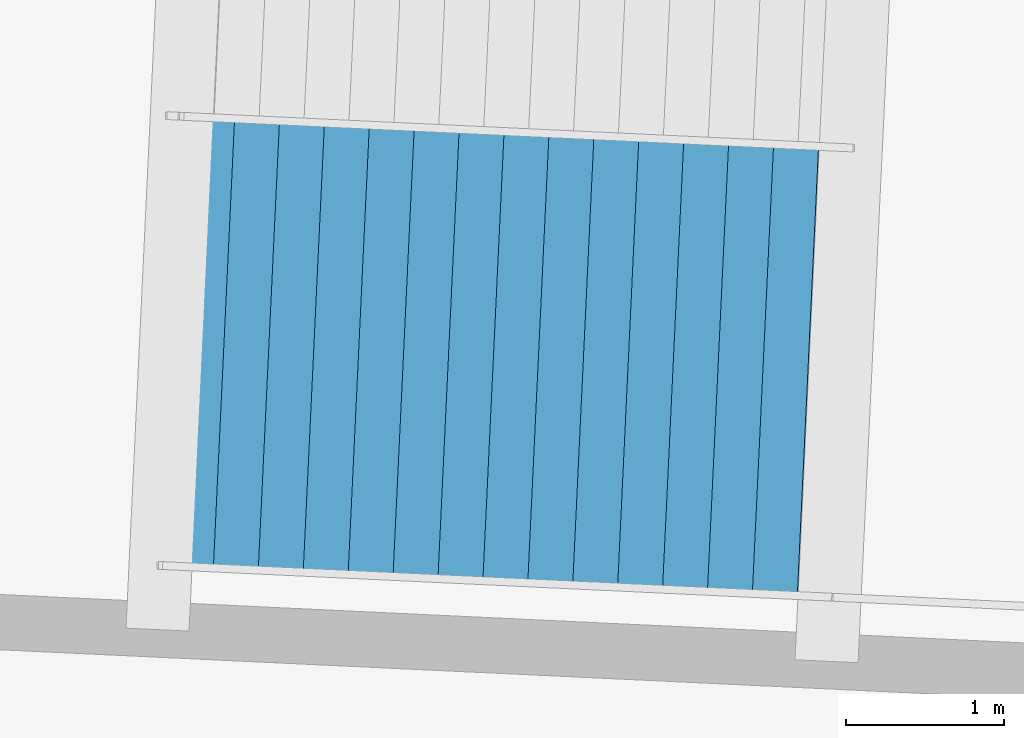
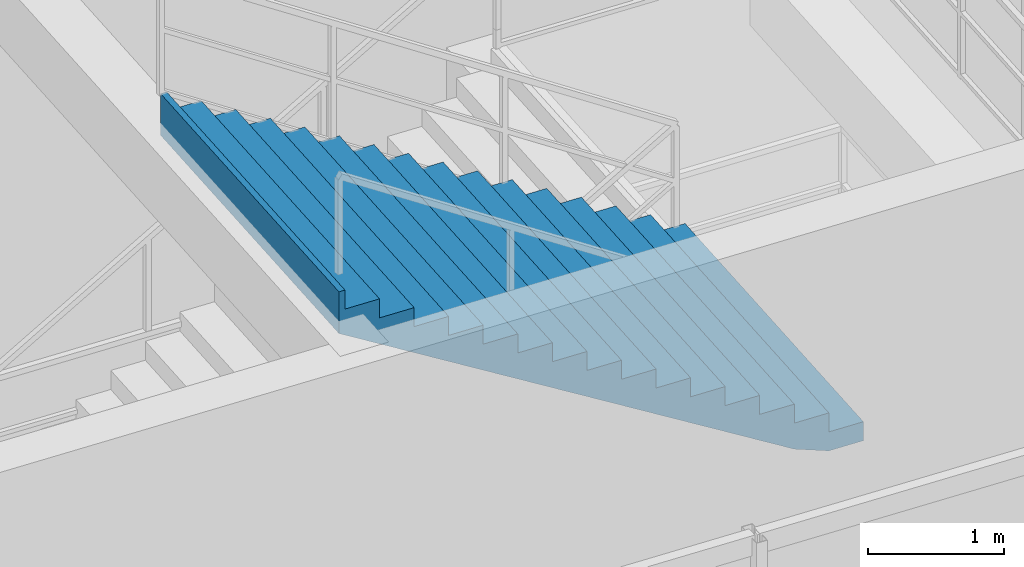
# One storey, part 83 of 103: 1 stair flight, 1 element without a shape of its own.
"""IFC4 building model written with IfcOpenShell, lengths in metres."""

from ifc_helpers import new_model, si_unit, direction, frame, origin, place, context, subcontext, project, spatial, polygons, material, type_object, element, aggregate, save


model = new_model("IFC4")

# Units and contexts
model_context = context("Model", 3, precision=1e-05, world=origin(), true_north=direction((0.0, 1.0)))
body_context = subcontext(model_context, "Body", "Model", "MODEL_VIEW")
ifc_project = project(units=[si_unit("LENGTHUNIT", "METRE"), si_unit("AREAUNIT", "SQUARE_METRE"), si_unit("VOLUMEUNIT", "CUBIC_METRE"), si_unit("PLANEANGLEUNIT", "RADIAN"), si_unit("MASSUNIT", "GRAM", prefix="KILO")], contexts=[model_context])

# Site, building, storey
site_placement = place(None, origin())
site = spatial("IfcSite", under=ifc_project, at=site_placement, CompositionType="ELEMENT")
building_placement = place(site_placement, origin())
building = spatial("IfcBuilding", under=site, at=building_placement, Name="Kazemori Nagisa Stadium", CompositionType="ELEMENT")
storey_placement = place(building_placement, frame((0.0, 0.0, 25.840087890625)))
storey = spatial("IfcBuildingStorey", under=building, at=storey_placement, Name="L05", CompositionType="ELEMENT", Elevation=25.840087890625)

# Stair, stair flight
ifc_material = material(Name="Concrete C36/45 (Fc36)", Category="concrete")
stair_type = type_object("IfcStairType", Name="Stair_CORE_32", PredefinedType="TWO_STRAIGHT_RUN_STAIR", material=ifc_material)
stair_placement = place(storey_placement, origin())
stair = element("IfcStair", 1, at=stair_placement, inside=storey, type_object=stair_type, Name="Exit stair ST12 L05", PredefinedType="TWO_STRAIGHT_RUN_STAIR")
stair_flight_type = type_object("IfcStairFlightType", Name="Flight_CORE_16", PredefinedType="STRAIGHT", material=ifc_material)
stair_flight_placement = place(storey_placement, frame((111.443115234375, 20.96044921875, 2.719970703125), z_axis=(0.0, 0.0, 1.0), x_axis=(-0.99888410244, 0.047228697771, 0.0)))
stair_flight = element("IfcStairFlight", 2, at=stair_flight_placement, type_object=stair_flight_type, Name="Exit stair ST12 L05 flight 2", NumberOfRisers=16, NumberOfTreads=15, PredefinedType="STRAIGHT", RiserHeight=0.17, TreadLength=0.285, context=body_context, shape_type="Tessellation", body=[
    polygons([(0.0, -1.425048828125, 0.0), (0.0, -1.425048828125, 0.169921875), (0.284912109375, -1.425048828125, 0.169921875), (0.284912109375, -1.425048828125, 0.340087890625), (0.570068359375, -1.425048828125, 0.340087890625), (0.570068359375, -1.425048828125, 0.510009765625), (0.85498046875, -1.425048828125, 0.510009765625), (0.85498046875, -1.425048828125, 0.679931640625), (1.139892578125, -1.425048828125, 0.679931640625), (1.139892578125, -1.425048828125, 0.85009765625), (1.425048828125, -1.425048828125, 0.85009765625), (1.425048828125, -1.425048828125, 1.02001953125), (1.7099609375, -1.425048828125, 1.02001953125), (1.7099609375, -1.425048828125, 1.18994140625), (1.9951171875, -1.425048828125, 1.18994140625), (1.9951171875, -1.425048828125, 1.360107421875), (2.280029296875, -1.425048828125, 1.360107421875), (2.280029296875, -1.425048828125, 1.530029296875), (2.56494140625, -1.425048828125, 1.530029296875), (2.56494140625, -1.425048828125, 1.699951171875), (2.85009765625, -1.425048828125, 1.699951171875), (2.85009765625, -1.425048828125, 1.8701171875), (3.135009765625, -1.425048828125, 1.8701171875), (3.135009765625, -1.425048828125, 2.0400390625), (3.419921875, -1.425048828125, 2.0400390625), (3.419921875, -1.425048828125, 2.2099609375), (3.705078125, -1.425048828125, 2.2099609375), (3.705078125, -1.425048828125, 2.3798828125), (3.989990234375, -1.425048828125, 2.3798828125), (3.989990234375, -1.425048828125, 2.550048828125), (4.27490234375, -1.425048828125, 2.550048828125), (4.27490234375, -1.425048828125, 2.719970703125), (4.324951171875, -1.425048828125, 2.719970703125), (4.324951171875, -1.425048828125, 2.346923828125), (4.27490234375, -1.425048828125, 2.317138671875), (3.989990234375, -1.425048828125, 2.147216796875), (3.705078125, -1.425048828125, 1.977294921875), (3.419921875, -1.425048828125, 1.80712890625), (3.135009765625, -1.425048828125, 1.63720703125), (2.85009765625, -1.425048828125, 1.46728515625), (2.56494140625, -1.425048828125, 1.297119140625), (2.280029296875, -1.425048828125, 1.127197265625), (1.9951171875, -1.425048828125, 0.957275390625), (1.7099609375, -1.425048828125, 0.787109375), (1.425048828125, -1.425048828125, 0.6171875), (1.139892578125, -1.425048828125, 0.447265625), (0.85498046875, -1.425048828125, 0.277099609375), (0.570068359375, -1.425048828125, 0.107177734375), (0.284912109375, -1.425048828125, 0.0), (0.0, -0.08544921875, 0.0), (0.0, -0.08544921875, 0.169921875), (0.284912109375, -0.08544921875, 0.169921875), (0.284912109375, -0.08544921875, 0.340087890625), (0.570068359375, -0.08544921875, 0.340087890625), (0.570068359375, -0.08544921875, 0.510009765625), (0.85498046875, -0.08544921875, 0.510009765625), (0.85498046875, -0.08544921875, 0.679931640625), (1.139892578125, -0.08544921875, 0.679931640625), (1.139892578125, -0.08544921875, 0.85009765625), (1.425048828125, -0.08544921875, 0.85009765625), (1.425048828125, -0.08544921875, 1.02001953125), (1.7099609375, -0.08544921875, 1.02001953125), (1.7099609375, -0.08544921875, 1.18994140625), (1.9951171875, -0.08544921875, 1.18994140625), (1.9951171875, -0.08544921875, 1.360107421875), (2.280029296875, -0.08544921875, 1.360107421875), (2.280029296875, -0.08544921875, 1.530029296875), (2.56494140625, -0.08544921875, 1.530029296875), (2.56494140625, -0.08544921875, 1.699951171875), (2.85009765625, -0.08544921875, 1.699951171875), (2.85009765625, -0.08544921875, 1.8701171875), (3.135009765625, -0.08544921875, 1.8701171875), (3.135009765625, -0.08544921875, 2.0400390625), (3.419921875, -0.08544921875, 2.0400390625), (3.419921875, -0.08544921875, 2.2099609375), (3.705078125, -0.08544921875, 2.2099609375), (3.705078125, -0.08544921875, 2.3798828125), (3.989990234375, -0.08544921875, 2.3798828125), (3.989990234375, -0.08544921875, 2.550048828125), (4.27490234375, -0.08544921875, 2.550048828125), (4.27490234375, -0.08544921875, 2.719970703125), (4.324951171875, -0.08544921875, 2.719970703125), (4.324951171875, -0.08544921875, 2.346923828125), (4.27490234375, -0.08544921875, 2.317138671875), (3.989990234375, -0.08544921875, 2.147216796875), (3.705078125, -0.08544921875, 1.977294921875), (3.419921875, -0.08544921875, 1.80712890625), (3.135009765625, -0.08544921875, 1.63720703125), (2.85009765625, -0.08544921875, 1.46728515625), (2.56494140625, -0.08544921875, 1.297119140625), (2.280029296875, -0.08544921875, 1.127197265625), (1.9951171875, -0.08544921875, 0.957275390625), (1.7099609375, -0.08544921875, 0.787109375), (1.425048828125, -0.08544921875, 0.6171875), (1.139892578125, -0.08544921875, 0.447265625), (0.85498046875, -0.08544921875, 0.277099609375), (0.570068359375, -0.08544921875, 0.107177734375), (0.284912109375, -0.08544921875, 0.0), (0.0, 0.0, 0.0), (0.0, 0.0, 0.169921875), (0.284912109375, 0.0, 0.169921875), (0.284912109375, 0.0, 0.340087890625), (0.570068359375, 0.0, 0.340087890625), (0.570068359375, 0.0, 0.510009765625), (0.85498046875, 0.0, 0.510009765625), (0.85498046875, 0.0, 0.679931640625), (1.139892578125, 0.0, 0.679931640625), (1.139892578125, 0.0, 0.85009765625), (1.425048828125, 0.0, 0.85009765625), (1.425048828125, 0.0, 1.02001953125), (1.7099609375, 0.0, 1.02001953125), (1.7099609375, 0.0, 1.18994140625), (1.9951171875, 0.0, 1.18994140625), (1.9951171875, 0.0, 1.360107421875), (2.280029296875, 0.0, 1.360107421875), (2.280029296875, 0.0, 1.530029296875), (2.56494140625, 0.0, 1.530029296875), (2.56494140625, 0.0, 1.699951171875), (2.85009765625, 0.0, 1.699951171875), (2.85009765625, 0.0, 1.8701171875), (3.135009765625, 0.0, 1.8701171875), (3.135009765625, 0.0, 2.0400390625), (3.419921875, 0.0, 2.0400390625), (3.419921875, 0.0, 2.2099609375), (3.705078125, 0.0, 2.2099609375), (3.705078125, 0.0, 2.3798828125), (3.989990234375, 0.0, 2.3798828125), (3.989990234375, 0.0, 2.550048828125), (4.27490234375, 0.0, 2.550048828125), (4.27490234375, 0.0, 2.719970703125), (4.324951171875, 0.0, 2.719970703125), (4.324951171875, 0.0, 2.346923828125), (4.27490234375, 0.0, 2.317138671875), (3.989990234375, 0.0, 2.147216796875), (3.705078125, 0.0, 1.977294921875), (3.419921875, 0.0, 1.80712890625), (3.135009765625, 0.0, 1.63720703125), (2.85009765625, 0.0, 1.46728515625), (2.56494140625, 0.0, 1.297119140625), (2.280029296875, 0.0, 1.127197265625), (1.9951171875, 0.0, 0.957275390625), (1.7099609375, 0.0, 0.787109375), (1.425048828125, 0.0, 0.6171875), (1.139892578125, 0.0, 0.447265625), (0.85498046875, 0.0, 0.277099609375), (0.570068359375, 0.0, 0.107177734375), (0.284912109375, 0.0, 0.0), (0.0, 0.08544921875, 0.0), (0.0, 0.08544921875, 0.169921875), (0.284912109375, 0.08544921875, 0.169921875), (0.284912109375, 0.08544921875, 0.340087890625), (0.570068359375, 0.08544921875, 0.340087890625), (0.570068359375, 0.08544921875, 0.510009765625), (0.85498046875, 0.08544921875, 0.510009765625), (0.85498046875, 0.08544921875, 0.679931640625), (1.139892578125, 0.08544921875, 0.679931640625), (1.139892578125, 0.08544921875, 0.85009765625), (1.425048828125, 0.08544921875, 0.85009765625), (1.425048828125, 0.08544921875, 1.02001953125), (1.7099609375, 0.08544921875, 1.02001953125), (1.7099609375, 0.08544921875, 1.18994140625), (1.9951171875, 0.08544921875, 1.18994140625), (1.9951171875, 0.08544921875, 1.360107421875), (2.280029296875, 0.08544921875, 1.360107421875), (2.280029296875, 0.08544921875, 1.530029296875), (2.56494140625, 0.08544921875, 1.530029296875), (2.56494140625, 0.08544921875, 1.699951171875), (2.85009765625, 0.08544921875, 1.699951171875), (2.85009765625, 0.08544921875, 1.8701171875), (3.135009765625, 0.08544921875, 1.8701171875), (3.135009765625, 0.08544921875, 2.0400390625), (3.419921875, 0.08544921875, 2.0400390625), (3.419921875, 0.08544921875, 2.2099609375), (3.705078125, 0.08544921875, 2.2099609375), (3.705078125, 0.08544921875, 2.3798828125), (3.989990234375, 0.08544921875, 2.3798828125), (3.989990234375, 0.08544921875, 2.550048828125), (4.27490234375, 0.08544921875, 2.550048828125), (4.27490234375, 0.08544921875, 2.719970703125), (4.324951171875, 0.08544921875, 2.719970703125), (4.324951171875, 0.08544921875, 2.346923828125), (4.27490234375, 0.08544921875, 2.317138671875), (3.989990234375, 0.08544921875, 2.147216796875), (3.705078125, 0.08544921875, 1.977294921875), (3.419921875, 0.08544921875, 1.80712890625), (3.135009765625, 0.08544921875, 1.63720703125), (2.85009765625, 0.08544921875, 1.46728515625), (2.56494140625, 0.08544921875, 1.297119140625), (2.280029296875, 0.08544921875, 1.127197265625), (1.9951171875, 0.08544921875, 0.957275390625), (1.7099609375, 0.08544921875, 0.787109375), (1.425048828125, 0.08544921875, 0.6171875), (1.139892578125, 0.08544921875, 0.447265625), (0.85498046875, 0.08544921875, 0.277099609375), (0.570068359375, 0.08544921875, 0.107177734375), (0.284912109375, 0.08544921875, 0.0), (0.0, 1.425048828125, 0.0), (0.0, 1.425048828125, 0.169921875), (0.284912109375, 1.425048828125, 0.169921875), (0.284912109375, 1.425048828125, 0.340087890625), (0.570068359375, 1.425048828125, 0.340087890625), (0.570068359375, 1.425048828125, 0.510009765625), (0.85498046875, 1.425048828125, 0.510009765625), (0.85498046875, 1.425048828125, 0.679931640625), (1.139892578125, 1.425048828125, 0.679931640625), (1.139892578125, 1.425048828125, 0.85009765625), (1.425048828125, 1.425048828125, 0.85009765625), (1.425048828125, 1.425048828125, 1.02001953125), (1.7099609375, 1.425048828125, 1.02001953125), (1.7099609375, 1.425048828125, 1.18994140625), (1.9951171875, 1.425048828125, 1.18994140625), (1.9951171875, 1.425048828125, 1.360107421875), (2.280029296875, 1.425048828125, 1.360107421875), (2.280029296875, 1.425048828125, 1.530029296875), (2.56494140625, 1.425048828125, 1.530029296875), (2.56494140625, 1.425048828125, 1.699951171875), (2.85009765625, 1.425048828125, 1.699951171875), (2.85009765625, 1.425048828125, 1.8701171875), (3.135009765625, 1.425048828125, 1.8701171875), (3.135009765625, 1.425048828125, 2.0400390625), (3.419921875, 1.425048828125, 2.0400390625), (3.419921875, 1.425048828125, 2.2099609375), (3.705078125, 1.425048828125, 2.2099609375), (3.705078125, 1.425048828125, 2.3798828125), (3.989990234375, 1.425048828125, 2.3798828125), (3.989990234375, 1.425048828125, 2.550048828125), (4.27490234375, 1.425048828125, 2.550048828125), (4.27490234375, 1.425048828125, 2.719970703125), (4.324951171875, 1.425048828125, 2.719970703125), (4.324951171875, 1.425048828125, 2.346923828125), (4.27490234375, 1.425048828125, 2.317138671875), (3.989990234375, 1.425048828125, 2.147216796875), (3.705078125, 1.425048828125, 1.977294921875), (3.419921875, 1.425048828125, 1.80712890625), (3.135009765625, 1.425048828125, 1.63720703125), (2.85009765625, 1.425048828125, 1.46728515625), (2.56494140625, 1.425048828125, 1.297119140625), (2.280029296875, 1.425048828125, 1.127197265625), (1.9951171875, 1.425048828125, 0.957275390625), (1.7099609375, 1.425048828125, 0.787109375), (1.425048828125, 1.425048828125, 0.6171875), (1.139892578125, 1.425048828125, 0.447265625), (0.85498046875, 1.425048828125, 0.277099609375), (0.570068359375, 1.425048828125, 0.107177734375), (0.284912109375, 1.425048828125, 0.0)], [[[1, 2, 51]], [[1, 51, 50]], [[2, 3, 52]], [[2, 52, 51]], [[3, 4, 53]], [[3, 53, 52]], [[4, 5, 54]], [[4, 54, 53]], [[5, 6, 55]], [[5, 55, 54]], [[6, 7, 56]], [[6, 56, 55]], [[7, 8, 57]], [[7, 57, 56]], [[8, 9, 58]], [[8, 58, 57]], [[9, 10, 59]], [[9, 59, 58]], [[10, 11, 60]], [[10, 60, 59]], [[11, 12, 61]], [[11, 61, 60]], [[12, 13, 62]], [[12, 62, 61]], [[13, 14, 63]], [[13, 63, 62]], [[14, 15, 64]], [[14, 64, 63]], [[15, 16, 65]], [[15, 65, 64]], [[16, 17, 66]], [[16, 66, 65]], [[17, 18, 67]], [[17, 67, 66]], [[18, 19, 68]], [[18, 68, 67]], [[19, 20, 69]], [[19, 69, 68]], [[20, 21, 70]], [[20, 70, 69]], [[21, 22, 71]], [[21, 71, 70]], [[22, 23, 72]], [[22, 72, 71]], [[23, 24, 73]], [[23, 73, 72]], [[24, 25, 74]], [[24, 74, 73]], [[25, 26, 75]], [[25, 75, 74]], [[26, 27, 76]], [[26, 76, 75]], [[27, 28, 77]], [[27, 77, 76]], [[28, 29, 78]], [[28, 78, 77]], [[29, 30, 79]], [[29, 79, 78]], [[30, 31, 80]], [[30, 80, 79]], [[31, 32, 81]], [[31, 81, 80]], [[32, 33, 82]], [[32, 82, 81]], [[33, 34, 83]], [[33, 83, 82]], [[34, 35, 84]], [[34, 84, 83]], [[35, 36, 85]], [[35, 85, 84]], [[36, 37, 86]], [[36, 86, 85]], [[37, 38, 87]], [[37, 87, 86]], [[38, 39, 88]], [[38, 88, 87]], [[39, 40, 89]], [[39, 89, 88]], [[40, 41, 90]], [[40, 90, 89]], [[41, 42, 91]], [[41, 91, 90]], [[42, 43, 92]], [[42, 92, 91]], [[43, 44, 93]], [[43, 93, 92]], [[44, 45, 94]], [[44, 94, 93]], [[45, 46, 95]], [[45, 95, 94]], [[46, 47, 96]], [[46, 96, 95]], [[47, 48, 97]], [[47, 97, 96]], [[48, 49, 98]], [[48, 98, 97]], [[49, 1, 50]], [[49, 50, 98]], [[50, 51, 100]], [[50, 100, 99]], [[51, 52, 101]], [[51, 101, 100]], [[52, 53, 102]], [[52, 102, 101]], [[53, 54, 103]], [[53, 103, 102]], [[54, 55, 104]], [[54, 104, 103]], [[55, 56, 105]], [[55, 105, 104]], [[56, 57, 106]], [[56, 106, 105]], [[57, 58, 107]], [[57, 107, 106]], [[58, 59, 108]], [[58, 108, 107]], [[59, 60, 109]], [[59, 109, 108]], [[60, 61, 110]], [[60, 110, 109]], [[61, 62, 111]], [[61, 111, 110]], [[62, 63, 112]], [[62, 112, 111]], [[63, 64, 113]], [[63, 113, 112]], [[64, 65, 114]], [[64, 114, 113]], [[65, 66, 115]], [[65, 115, 114]], [[66, 67, 116]], [[66, 116, 115]], [[67, 68, 117]], [[67, 117, 116]], [[68, 69, 118]], [[68, 118, 117]], [[69, 70, 119]], [[69, 119, 118]], [[70, 71, 120]], [[70, 120, 119]], [[71, 72, 121]], [[71, 121, 120]], [[72, 73, 122]], [[72, 122, 121]], [[73, 74, 123]], [[73, 123, 122]], [[74, 75, 124]], [[74, 124, 123]], [[75, 76, 125]], [[75, 125, 124]], [[76, 77, 126]], [[76, 126, 125]], [[77, 78, 127]], [[77, 127, 126]], [[78, 79, 128]], [[78, 128, 127]], [[79, 80, 129]], [[79, 129, 128]], [[80, 81, 130]], [[80, 130, 129]], [[81, 82, 131]], [[81, 131, 130]], [[82, 83, 132]], [[82, 132, 131]], [[83, 84, 133]], [[83, 133, 132]], [[84, 85, 134]], [[84, 134, 133]], [[85, 86, 135]], [[85, 135, 134]], [[86, 87, 136]], [[86, 136, 135]], [[87, 88, 137]], [[87, 137, 136]], [[88, 89, 138]], [[88, 138, 137]], [[89, 90, 139]], [[89, 139, 138]], [[90, 91, 140]], [[90, 140, 139]], [[91, 92, 141]], [[91, 141, 140]], [[92, 93, 142]], [[92, 142, 141]], [[93, 94, 143]], [[93, 143, 142]], [[94, 95, 144]], [[94, 144, 143]], [[95, 96, 145]], [[95, 145, 144]], [[96, 97, 146]], [[96, 146, 145]], [[97, 98, 147]], [[97, 147, 146]], [[98, 50, 99]], [[98, 99, 147]], [[99, 100, 149]], [[99, 149, 148]], [[100, 101, 150]], [[100, 150, 149]], [[101, 102, 151]], [[101, 151, 150]], [[102, 103, 152]], [[102, 152, 151]], [[103, 104, 153]], [[103, 153, 152]], [[104, 105, 154]], [[104, 154, 153]], [[105, 106, 155]], [[105, 155, 154]], [[106, 107, 156]], [[106, 156, 155]], [[107, 108, 157]], [[107, 157, 156]], [[108, 109, 158]], [[108, 158, 157]], [[109, 110, 159]], [[109, 159, 158]], [[110, 111, 160]], [[110, 160, 159]], [[111, 112, 161]], [[111, 161, 160]], [[112, 113, 162]], [[112, 162, 161]], [[113, 114, 163]], [[113, 163, 162]], [[114, 115, 164]], [[114, 164, 163]], [[115, 116, 165]], [[115, 165, 164]], [[116, 117, 166]], [[116, 166, 165]], [[117, 118, 167]], [[117, 167, 166]], [[118, 119, 168]], [[118, 168, 167]], [[119, 120, 169]], [[119, 169, 168]], [[120, 121, 170]], [[120, 170, 169]], [[121, 122, 171]], [[121, 171, 170]], [[122, 123, 172]], [[122, 172, 171]], [[123, 124, 173]], [[123, 173, 172]], [[124, 125, 174]], [[124, 174, 173]], [[125, 126, 175]], [[125, 175, 174]], [[126, 127, 176]], [[126, 176, 175]], [[127, 128, 177]], [[127, 177, 176]], [[128, 129, 178]], [[128, 178, 177]], [[129, 130, 179]], [[129, 179, 178]], [[130, 131, 180]], [[130, 180, 179]], [[131, 132, 181]], [[131, 181, 180]], [[132, 133, 182]], [[132, 182, 181]], [[133, 134, 183]], [[133, 183, 182]], [[134, 135, 184]], [[134, 184, 183]], [[135, 136, 185]], [[135, 185, 184]], [[136, 137, 186]], [[136, 186, 185]], [[137, 138, 187]], [[137, 187, 186]], [[138, 139, 188]], [[138, 188, 187]], [[139, 140, 189]], [[139, 189, 188]], [[140, 141, 190]], [[140, 190, 189]], [[141, 142, 191]], [[141, 191, 190]], [[142, 143, 192]], [[142, 192, 191]], [[143, 144, 193]], [[143, 193, 192]], [[144, 145, 194]], [[144, 194, 193]], [[145, 146, 195]], [[145, 195, 194]], [[146, 147, 196]], [[146, 196, 195]], [[147, 99, 148]], [[147, 148, 196]], [[148, 149, 198]], [[148, 198, 197]], [[149, 150, 199]], [[149, 199, 198]], [[150, 151, 200]], [[150, 200, 199]], [[151, 152, 201]], [[151, 201, 200]], [[152, 153, 202]], [[152, 202, 201]], [[153, 154, 203]], [[153, 203, 202]], [[154, 155, 204]], [[154, 204, 203]], [[155, 156, 205]], [[155, 205, 204]], [[156, 157, 206]], [[156, 206, 205]], [[157, 158, 207]], [[157, 207, 206]], [[158, 159, 208]], [[158, 208, 207]], [[159, 160, 209]], [[159, 209, 208]], [[160, 161, 210]], [[160, 210, 209]], [[161, 162, 211]], [[161, 211, 210]], [[162, 163, 212]], [[162, 212, 211]], [[163, 164, 213]], [[163, 213, 212]], [[164, 165, 214]], [[164, 214, 213]], [[165, 166, 215]], [[165, 215, 214]], [[166, 167, 216]], [[166, 216, 215]], [[167, 168, 217]], [[167, 217, 216]], [[168, 169, 218]], [[168, 218, 217]], [[169, 170, 219]], [[169, 219, 218]], [[170, 171, 220]], [[170, 220, 219]], [[171, 172, 221]], [[171, 221, 220]], [[172, 173, 222]], [[172, 222, 221]], [[173, 174, 223]], [[173, 223, 222]], [[174, 175, 224]], [[174, 224, 223]], [[175, 176, 225]], [[175, 225, 224]], [[176, 177, 226]], [[176, 226, 225]], [[177, 178, 227]], [[177, 227, 226]], [[178, 179, 228]], [[178, 228, 227]], [[179, 180, 229]], [[179, 229, 228]], [[180, 181, 230]], [[180, 230, 229]], [[181, 182, 231]], [[181, 231, 230]], [[182, 183, 232]], [[182, 232, 231]], [[183, 184, 233]], [[183, 233, 232]], [[184, 185, 234]], [[184, 234, 233]], [[185, 186, 235]], [[185, 235, 234]], [[186, 187, 236]], [[186, 236, 235]], [[187, 188, 237]], [[187, 237, 236]], [[188, 189, 238]], [[188, 238, 237]], [[189, 190, 239]], [[189, 239, 238]], [[190, 191, 240]], [[190, 240, 239]], [[191, 192, 241]], [[191, 241, 240]], [[192, 193, 242]], [[192, 242, 241]], [[193, 194, 243]], [[193, 243, 242]], [[194, 195, 244]], [[194, 244, 243]], [[195, 196, 245]], [[195, 245, 244]], [[196, 148, 197]], [[196, 197, 245]], [[3, 2, 1]], [[197, 198, 199]], [[49, 3, 1]], [[197, 199, 245]], [[48, 3, 49]], [[245, 199, 244]], [[5, 3, 48]], [[244, 199, 201]], [[5, 4, 3]], [[199, 200, 201]], [[47, 5, 48]], [[244, 201, 243]], [[7, 5, 47]], [[243, 201, 203]], [[7, 6, 5]], [[201, 202, 203]], [[46, 7, 47]], [[243, 203, 242]], [[9, 7, 46]], [[242, 203, 205]], [[9, 8, 7]], [[203, 204, 205]], [[45, 9, 46]], [[242, 205, 241]], [[11, 9, 45]], [[241, 205, 207]], [[11, 10, 9]], [[205, 206, 207]], [[44, 11, 45]], [[241, 207, 240]], [[13, 11, 44]], [[240, 207, 209]], [[13, 12, 11]], [[207, 208, 209]], [[43, 13, 44]], [[240, 209, 239]], [[15, 13, 43]], [[239, 209, 211]], [[15, 14, 13]], [[209, 210, 211]], [[42, 15, 43]], [[239, 211, 238]], [[17, 15, 42]], [[238, 211, 213]], [[17, 16, 15]], [[211, 212, 213]], [[41, 17, 42]], [[238, 213, 237]], [[19, 17, 41]], [[237, 213, 215]], [[19, 18, 17]], [[213, 214, 215]], [[40, 19, 41]], [[237, 215, 236]], [[21, 19, 40]], [[236, 215, 217]], [[21, 20, 19]], [[215, 216, 217]], [[39, 21, 40]], [[236, 217, 235]], [[23, 21, 39]], [[235, 217, 219]], [[23, 22, 21]], [[217, 218, 219]], [[38, 23, 39]], [[235, 219, 234]], [[25, 23, 38]], [[234, 219, 221]], [[25, 24, 23]], [[219, 220, 221]], [[37, 25, 38]], [[234, 221, 233]], [[27, 25, 37]], [[233, 221, 223]], [[27, 26, 25]], [[221, 222, 223]], [[36, 27, 37]], [[233, 223, 232]], [[29, 27, 36]], [[232, 223, 225]], [[29, 28, 27]], [[223, 224, 225]], [[35, 29, 36]], [[232, 225, 231]], [[31, 29, 35]], [[231, 225, 227]], [[31, 30, 29]], [[225, 226, 227]], [[34, 31, 35]], [[231, 227, 230]], [[33, 31, 34]], [[230, 227, 229]], [[33, 32, 31]], [[227, 228, 229]]], closed=True),
])
aggregate(stair, [stair_flight])

save(model, "model.ifc")
